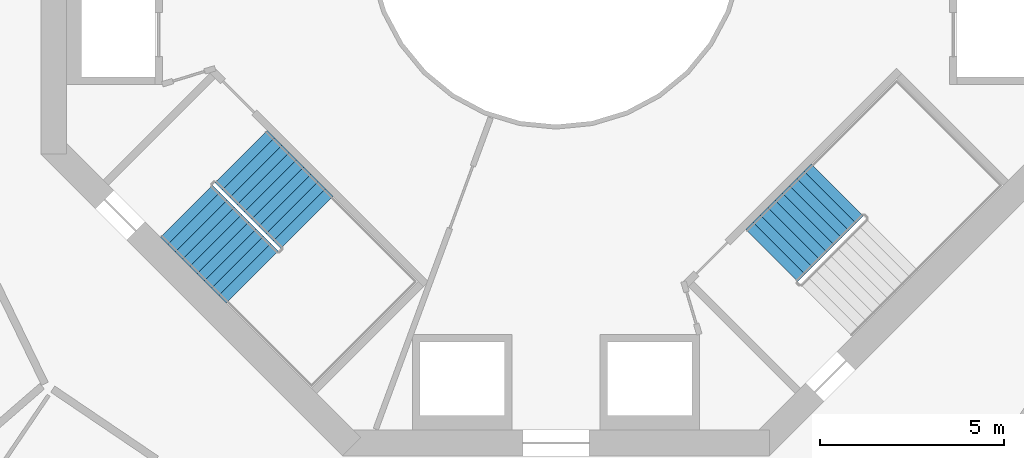
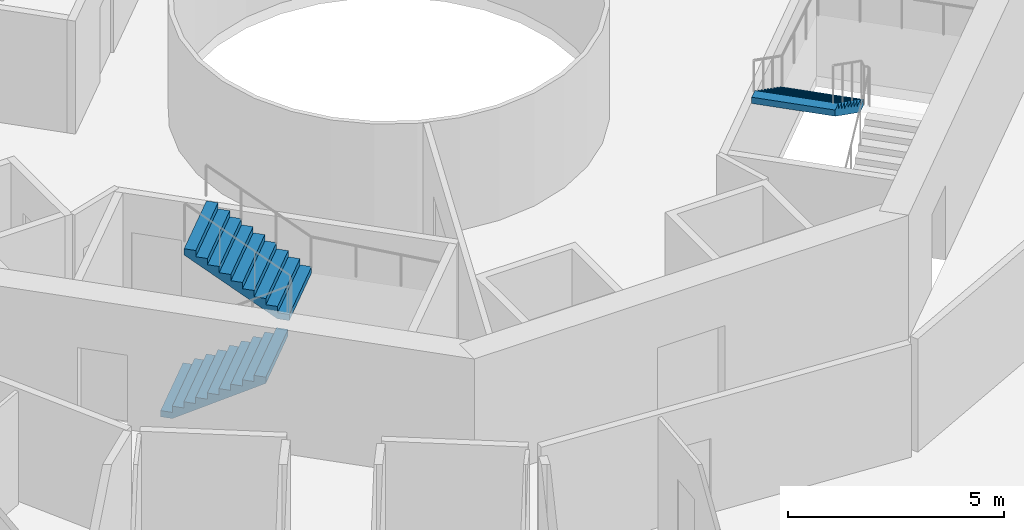
# One storey, part 20 of 22: 3 stair flights, 2 elements without a shape of their own.
"""IFC4 building model written with IfcOpenShell, lengths in metres."""

from ifc_helpers import new_model, si_unit, direction, frame, origin, place, context, subcontext, project, spatial, triangles, material, type_object, element, aggregate, save


model = new_model("IFC4")

# Units and contexts
model_context = context("Model", 3, precision=1e-05, world=origin(), true_north=direction((0.0, 1.0)))
body_context = subcontext(model_context, "Body", "Model", "MODEL_VIEW")
ifc_project = project(units=[si_unit("LENGTHUNIT", "METRE"), si_unit("AREAUNIT", "SQUARE_METRE"), si_unit("VOLUMEUNIT", "CUBIC_METRE"), si_unit("PLANEANGLEUNIT", "RADIAN"), si_unit("MASSUNIT", "GRAM", prefix="KILO")], contexts=[model_context])

# Site, building, storey
site_placement = place(None, origin())
site = spatial("IfcSite", under=ifc_project, at=site_placement, CompositionType="ELEMENT")
building_placement = place(site_placement, origin())
building = spatial("IfcBuilding", under=site, at=building_placement, Name="Verdalira Terraces Hotel", CompositionType="ELEMENT")
storey_placement = place(building_placement, frame((0.0, 0.0, 140.0)))
storey = spatial("IfcBuildingStorey", under=building, at=storey_placement, Name="L33", CompositionType="ELEMENT", Elevation=140.0)

# Stair, stair flights
ifc_material_1 = material(Name="Concrete C40", Category="concrete")
stair_type = type_object("IfcStairType", Name="Core stair 20 risers 2000 mm wide", PredefinedType="HALF_TURN_STAIR", material=ifc_material_1)
stair_1_placement = place(storey_placement, origin())
stair_1 = element("IfcStair", 1, at=stair_1_placement, inside=storey, type_object=stair_type, Name="L33 Exit stair ST2", PredefinedType="HALF_TURN_STAIR")
ifc_material_2 = material(Name="Concrete C40", Category="concrete")
stair_flight_type = type_object("IfcStairFlightType", Name="Core stair flight 20 risers 2000 mm wide", PredefinedType="STRAIGHT", material=ifc_material_2)
stair_flight_1_placement = place(storey_placement, frame((-10.041016, -7.354004, 0.0), z_axis=(0.0, 0.0, 1.0), x_axis=(0.707106781, -0.707106781, 0.0)))
stair_flight_1 = element("IfcStairFlight", 2, at=stair_flight_1_placement, type_object=stair_flight_type, Name="ST2 flight 1", NumberOfRisers=10, NumberOfTreads=9, PredefinedType="STRAIGHT", RiserHeight=0.175, TreadLength=0.28, context=body_context, shape_type="Tessellation", body=[
    triangles([(0.0, 1.0, 0.0), (0.282715, 1.0, 0.0), (2.52002, 1.0, 1.398193), (0.0, -1.0, 0.0), (0.282715, -1.0, 0.0), (2.52002, -1.0, 1.398193), (2.52002, 1.0, 1.574951), (2.23999, 1.0, 1.574951), (2.52002, -1.0, 1.574951), (2.23999, -1.0, 1.574951), (2.23999, 1.0, 1.399902), (2.23999, -1.0, 1.399902), (1.959961, 1.0, 1.399902), (1.959961, -1.0, 1.399902), (1.959961, 1.0, 1.225098), (1.959961, -1.0, 1.225098), (1.679932, 1.0, 1.225098), (1.679932, 1.0, 1.050049), (1.679932, -1.0, 1.225098), (1.679932, -1.0, 1.050049), (1.399902, 1.0, 1.050049), (1.399902, 1.0, 0.875), (1.399902, -1.0, 1.050049), (1.399902, -1.0, 0.875), (1.120117, 1.0, 0.875), (1.120117, 1.0, 0.699951), (1.120117, -1.0, 0.875), (1.120117, -1.0, 0.699951), (0.840088, 1.0, 0.699951), (0.840088, 1.0, 0.524902), (0.840088, -1.0, 0.699951), (0.840088, -1.0, 0.524902), (0.560059, 1.0, 0.524902), (0.560059, 1.0, 0.350098), (0.560059, -1.0, 0.524902), (0.560059, -1.0, 0.350098), (0.280029, 1.0, 0.350098), (0.280029, 1.0, 0.175049), (0.280029, -1.0, 0.350098), (0.280029, -1.0, 0.175049), (0.0, 1.0, 0.175049), (0.0, -1.0, 0.175049), (0.0, -0.9375, 0.0), (0.0, -0.9375, 0.175049), (0.0, -0.875, 0.0), (0.0, -0.875, 0.175049), (0.0, -0.8125, 0.0), (0.0, -0.8125, 0.175049), (0.0, -0.75, 0.0), (0.0, -0.75, 0.175049), (0.0, -0.6875, 0.0), (0.0, -0.6875, 0.175049), (0.0, -0.625, 0.0), (0.0, -0.625, 0.175049), (0.0, -0.5625, 0.0), (0.0, -0.5625, 0.175049), (0.0, -0.5, 0.0), (0.0, -0.5, 0.175049), (0.0, -0.4375, 0.0), (0.0, -0.4375, 0.175049), (0.0, -0.375, 0.0), (0.0, -0.375, 0.175049), (0.0, -0.3125, 0.0), (0.0, -0.3125, 0.175049), (0.0, -0.25, 0.0), (0.0, -0.25, 0.175049), (0.0, -0.1875, 0.0), (0.0, -0.1875, 0.175049), (0.0, -0.125, 0.0), (0.0, -0.125, 0.175049), (0.0, -0.0625, 0.0), (0.0, -0.0625, 0.175049), (0.0, 0.0, 0.0), (0.0, 0.0, 0.175049), (0.0, 0.0625, 0.0), (0.0, 0.0625, 0.175049), (0.0, 0.125, 0.0), (0.0, 0.125, 0.175049), (0.0, 0.1875, 0.0), (0.0, 0.1875, 0.175049), (0.0, 0.25, 0.0), (0.0, 0.25, 0.175049), (0.0, 0.3125, 0.0), (0.0, 0.3125, 0.175049), (0.0, 0.375, 0.0), (0.0, 0.375, 0.175049), (0.0, 0.4375, 0.0), (0.0, 0.4375, 0.175049), (0.0, 0.5, 0.0), (0.0, 0.5, 0.175049), (0.0, 0.5625, 0.0), (0.0, 0.5625, 0.175049), (0.0, 0.625, 0.0), (0.0, 0.625, 0.175049), (0.0, 0.6875, 0.0), (0.0, 0.6875, 0.175049), (0.0, 0.75, 0.0), (0.0, 0.75, 0.175049), (0.0, 0.8125, 0.0), (0.0, 0.8125, 0.175049), (0.0, 0.875, 0.0), (0.0, 0.875, 0.175049), (0.0, 0.9375, 0.0), (0.0, 0.9375, 0.175049), (2.52002, -0.9375, 1.574951), (2.52002, -0.875, 1.574951), (2.52002, -0.8125, 1.574951), (2.52002, -0.75, 1.574951), (2.52002, -0.6875, 1.574951), (2.52002, -0.625, 1.574951), (2.52002, -0.5625, 1.574951), (2.52002, -0.5, 1.574951), (2.52002, -0.4375, 1.574951), (2.52002, -0.375, 1.574951), (2.52002, -0.3125, 1.574951), (2.52002, -0.25, 1.574951), (2.52002, -0.1875, 1.574951), (2.52002, -0.125, 1.574951), (2.52002, -0.0625, 1.574951), (2.52002, 0.0, 1.574951), (2.52002, 0.0625, 1.574951), (2.52002, 0.125, 1.574951), (2.52002, 0.1875, 1.574951), (2.52002, 0.25, 1.574951), (2.52002, 0.3125, 1.574951), (2.52002, 0.375, 1.574951), (2.52002, 0.4375, 1.574951), (2.52002, 0.5, 1.574951), (2.52002, 0.5625, 1.574951), (2.52002, 0.625, 1.574951), (2.52002, 0.6875, 1.574951), (2.52002, 0.75, 1.574951), (2.52002, 0.8125, 1.574951), (2.52002, 0.875, 1.574951), (2.52002, 0.9375, 1.574951), (2.52002, -0.9375, 1.398193), (2.52002, -0.875, 1.398193), (2.52002, -0.8125, 1.398193), (2.52002, -0.75, 1.398193), (2.52002, -0.6875, 1.398193), (2.52002, -0.625, 1.398193), (2.52002, -0.5625, 1.398193), (2.52002, -0.5, 1.398193), (2.52002, -0.4375, 1.398193), (2.52002, -0.375, 1.398193), (2.52002, -0.3125, 1.398193), (2.52002, -0.25, 1.398193), (2.52002, -0.1875, 1.398193), (2.52002, -0.125, 1.398193), (2.52002, -0.0625, 1.398193), (2.52002, 0.0, 1.398193), (2.52002, 0.0625, 1.398193), (2.52002, 0.125, 1.398193), (2.52002, 0.1875, 1.398193), (2.52002, 0.25, 1.398193), (2.52002, 0.3125, 1.398193), (2.52002, 0.375, 1.398193), (2.52002, 0.4375, 1.398193), (2.52002, 0.5, 1.398193), (2.52002, 0.5625, 1.398193), (2.52002, 0.625, 1.398193), (2.52002, 0.6875, 1.398193), (2.52002, 0.75, 1.398193), (2.52002, 0.8125, 1.398193), (2.52002, 0.875, 1.398193), (2.52002, 0.9375, 1.398193)], [[1, 3, 2], [4, 5, 6], [3, 8, 7], [6, 9, 10], [3, 11, 8], [6, 10, 12], [3, 13, 11], [6, 12, 14], [3, 15, 13], [6, 14, 16], [15, 18, 17], [16, 19, 20], [3, 18, 15], [6, 16, 20], [18, 22, 21], [20, 23, 24], [3, 22, 18], [6, 20, 24], [22, 26, 25], [24, 27, 28], [3, 26, 22], [6, 24, 28], [26, 30, 29], [28, 31, 32], [3, 30, 26], [6, 28, 32], [1, 30, 3], [4, 6, 32], [30, 34, 33], [32, 35, 36], [34, 38, 37], [36, 39, 40], [30, 38, 34], [32, 36, 40], [1, 38, 30], [4, 32, 40], [38, 1, 41], [40, 42, 4], [4, 44, 43], [4, 42, 44], [43, 46, 45], [43, 44, 46], [45, 48, 47], [45, 46, 48], [47, 50, 49], [47, 48, 50], [49, 52, 51], [49, 50, 52], [51, 54, 53], [51, 52, 54], [53, 56, 55], [53, 54, 56], [55, 58, 57], [55, 56, 58], [57, 60, 59], [57, 58, 60], [59, 62, 61], [59, 60, 62], [61, 64, 63], [61, 62, 64], [63, 66, 65], [63, 64, 66], [65, 68, 67], [65, 66, 68], [67, 70, 69], [67, 68, 70], [69, 72, 71], [69, 70, 72], [71, 74, 73], [71, 72, 74], [73, 76, 75], [73, 74, 76], [75, 78, 77], [75, 76, 78], [77, 80, 79], [77, 78, 80], [79, 82, 81], [79, 80, 82], [81, 84, 83], [81, 82, 84], [83, 86, 85], [83, 84, 86], [85, 88, 87], [85, 86, 88], [87, 90, 89], [87, 88, 90], [89, 92, 91], [89, 90, 92], [91, 94, 93], [91, 92, 94], [93, 96, 95], [93, 94, 96], [95, 98, 97], [95, 96, 98], [97, 100, 99], [97, 98, 100], [99, 102, 101], [99, 100, 102], [101, 104, 103], [101, 102, 104], [103, 41, 1], [103, 104, 41], [42, 40, 44], [44, 40, 46], [46, 40, 48], [48, 40, 50], [50, 40, 52], [52, 40, 54], [54, 40, 56], [56, 40, 58], [58, 40, 60], [60, 40, 62], [62, 40, 64], [64, 40, 66], [66, 40, 68], [68, 40, 70], [70, 40, 72], [72, 40, 74], [74, 40, 76], [76, 40, 78], [78, 40, 80], [80, 40, 82], [82, 40, 84], [84, 40, 86], [86, 40, 88], [88, 40, 90], [90, 40, 92], [92, 40, 94], [94, 40, 96], [96, 40, 98], [98, 40, 100], [100, 40, 102], [102, 40, 104], [104, 40, 41], [41, 40, 38], [40, 37, 38], [40, 39, 37], [39, 34, 37], [39, 36, 34], [36, 33, 34], [36, 35, 33], [35, 30, 33], [35, 32, 30], [32, 29, 30], [32, 31, 29], [31, 26, 29], [31, 28, 26], [28, 25, 26], [28, 27, 25], [27, 22, 25], [27, 24, 22], [24, 21, 22], [24, 23, 21], [23, 18, 21], [23, 20, 18], [20, 17, 18], [20, 19, 17], [19, 15, 17], [19, 16, 15], [16, 13, 15], [16, 14, 13], [14, 11, 13], [14, 12, 11], [12, 8, 11], [12, 10, 8], [9, 105, 10], [105, 106, 10], [106, 107, 10], [107, 108, 10], [108, 109, 10], [109, 110, 10], [110, 111, 10], [111, 112, 10], [112, 113, 10], [113, 114, 10], [114, 115, 10], [115, 116, 10], [116, 117, 10], [117, 118, 10], [118, 119, 10], [119, 120, 10], [120, 121, 10], [121, 122, 10], [122, 123, 10], [123, 124, 10], [124, 125, 10], [125, 126, 10], [126, 127, 10], [127, 128, 10], [128, 129, 10], [129, 130, 10], [130, 131, 10], [131, 132, 10], [132, 133, 10], [133, 134, 10], [134, 135, 10], [135, 7, 10], [7, 8, 10], [9, 136, 105], [9, 6, 136], [105, 137, 106], [105, 136, 137], [106, 138, 107], [106, 137, 138], [107, 139, 108], [107, 138, 139], [108, 140, 109], [108, 139, 140], [109, 141, 110], [109, 140, 141], [110, 142, 111], [110, 141, 142], [111, 143, 112], [111, 142, 143], [112, 144, 113], [112, 143, 144], [113, 145, 114], [113, 144, 145], [114, 146, 115], [114, 145, 146], [115, 147, 116], [115, 146, 147], [116, 148, 117], [116, 147, 148], [117, 149, 118], [117, 148, 149], [118, 150, 119], [118, 149, 150], [119, 151, 120], [119, 150, 151], [120, 152, 121], [120, 151, 152], [121, 153, 122], [121, 152, 153], [122, 154, 123], [122, 153, 154], [123, 155, 124], [123, 154, 155], [124, 156, 125], [124, 155, 156], [125, 157, 126], [125, 156, 157], [126, 158, 127], [126, 157, 158], [127, 159, 128], [127, 158, 159], [128, 160, 129], [128, 159, 160], [129, 161, 130], [129, 160, 161], [130, 162, 131], [130, 161, 162], [131, 163, 132], [131, 162, 163], [132, 164, 133], [132, 163, 164], [133, 165, 134], [133, 164, 165], [134, 166, 135], [134, 165, 166], [135, 3, 7], [135, 166, 3], [6, 5, 136], [136, 5, 137], [137, 5, 138], [138, 5, 139], [139, 5, 140], [140, 5, 141], [141, 5, 142], [142, 5, 143], [143, 5, 144], [144, 5, 145], [145, 5, 146], [146, 5, 147], [147, 5, 148], [148, 5, 149], [149, 5, 150], [150, 5, 151], [151, 5, 152], [152, 5, 153], [153, 5, 154], [154, 5, 155], [155, 5, 156], [156, 5, 157], [157, 5, 158], [158, 5, 159], [159, 5, 160], [160, 5, 161], [161, 5, 162], [162, 5, 163], [163, 5, 164], [164, 5, 165], [165, 5, 166], [166, 5, 3], [3, 5, 2], [4, 43, 5], [43, 45, 5], [45, 47, 5], [47, 49, 5], [49, 51, 5], [51, 53, 5], [53, 55, 5], [55, 57, 5], [57, 59, 5], [59, 61, 5], [61, 63, 5], [63, 65, 5], [65, 67, 5], [67, 69, 5], [69, 71, 5], [71, 73, 5], [73, 75, 5], [75, 77, 5], [77, 79, 5], [79, 81, 5], [81, 83, 5], [83, 85, 5], [85, 87, 5], [87, 89, 5], [89, 91, 5], [91, 93, 5], [93, 95, 5], [95, 97, 5], [97, 99, 5], [99, 101, 5], [101, 103, 5], [103, 1, 5], [1, 2, 5]], closed=True),
])
stair_flight_2_placement = place(storey_placement, frame((-6.77417, -7.650879, 1.75), z_axis=(0.0, 0.0, 1.0), x_axis=(-0.707106781, 0.707106781, 0.0)))
stair_flight_2 = element("IfcStairFlight", 3, at=stair_flight_2_placement, type_object=stair_flight_type, Name="ST2 flight 2", NumberOfRisers=10, NumberOfTreads=9, PredefinedType="STRAIGHT", RiserHeight=0.175, TreadLength=0.28, context=body_context, shape_type="Tessellation", body=[
    triangles([(0.0, 1.0, 0.0), (0.282715, 1.0, 0.0), (2.52002, 1.0, 1.398193), (0.0, -1.0, 0.0), (0.282715, -1.0, 0.0), (2.52002, -1.0, 1.398193), (2.52002, 1.0, 1.574951), (2.23999, 1.0, 1.574951), (2.52002, -1.0, 1.574951), (2.23999, -1.0, 1.574951), (2.23999, 1.0, 1.399902), (2.23999, -1.0, 1.399902), (1.959961, 1.0, 1.399902), (1.959961, -1.0, 1.399902), (1.959961, 1.0, 1.225098), (1.959961, -1.0, 1.225098), (1.679932, 1.0, 1.225098), (1.679932, 1.0, 1.050049), (1.679932, -1.0, 1.225098), (1.679932, -1.0, 1.050049), (1.399902, 1.0, 1.050049), (1.399902, 1.0, 0.875), (1.399902, -1.0, 1.050049), (1.399902, -1.0, 0.875), (1.120117, 1.0, 0.875), (1.120117, 1.0, 0.699951), (1.120117, -1.0, 0.875), (1.120117, -1.0, 0.699951), (0.840088, 1.0, 0.699951), (0.840088, 1.0, 0.524902), (0.840088, -1.0, 0.699951), (0.840088, -1.0, 0.524902), (0.560059, 1.0, 0.524902), (0.560059, 1.0, 0.350098), (0.560059, -1.0, 0.524902), (0.560059, -1.0, 0.350098), (0.280029, 1.0, 0.350098), (0.280029, 1.0, 0.175049), (0.280029, -1.0, 0.350098), (0.280029, -1.0, 0.175049), (0.0, 1.0, 0.175049), (0.0, -1.0, 0.175049), (0.0, -0.9375, 0.0), (0.0, -0.9375, 0.175049), (0.0, -0.875, 0.0), (0.0, -0.875, 0.175049), (0.0, -0.8125, 0.0), (0.0, -0.8125, 0.175049), (0.0, -0.75, 0.0), (0.0, -0.75, 0.175049), (0.0, -0.6875, 0.0), (0.0, -0.6875, 0.175049), (0.0, -0.625, 0.0), (0.0, -0.625, 0.175049), (0.0, -0.5625, 0.0), (0.0, -0.5625, 0.175049), (0.0, -0.5, 0.0), (0.0, -0.5, 0.175049), (0.0, -0.4375, 0.0), (0.0, -0.4375, 0.175049), (0.0, -0.375, 0.0), (0.0, -0.375, 0.175049), (0.0, -0.3125, 0.0), (0.0, -0.3125, 0.175049), (0.0, -0.25, 0.0), (0.0, -0.25, 0.175049), (0.0, -0.1875, 0.0), (0.0, -0.1875, 0.175049), (0.0, -0.125, 0.0), (0.0, -0.125, 0.175049), (0.0, -0.0625, 0.0), (0.0, -0.0625, 0.175049), (0.0, 0.0, 0.0), (0.0, 0.0, 0.175049), (0.0, 0.0625, 0.0), (0.0, 0.0625, 0.175049), (0.0, 0.125, 0.0), (0.0, 0.125, 0.175049), (0.0, 0.1875, 0.0), (0.0, 0.1875, 0.175049), (0.0, 0.25, 0.0), (0.0, 0.25, 0.175049), (0.0, 0.3125, 0.0), (0.0, 0.3125, 0.175049), (0.0, 0.375, 0.0), (0.0, 0.375, 0.175049), (0.0, 0.4375, 0.0), (0.0, 0.4375, 0.175049), (0.0, 0.5, 0.0), (0.0, 0.5, 0.175049), (0.0, 0.5625, 0.0), (0.0, 0.5625, 0.175049), (0.0, 0.625, 0.0), (0.0, 0.625, 0.175049), (0.0, 0.6875, 0.0), (0.0, 0.6875, 0.175049), (0.0, 0.75, 0.0), (0.0, 0.75, 0.175049), (0.0, 0.8125, 0.0), (0.0, 0.8125, 0.175049), (0.0, 0.875, 0.0), (0.0, 0.875, 0.175049), (0.0, 0.9375, 0.0), (0.0, 0.9375, 0.175049), (2.52002, -0.9375, 1.574951), (2.52002, -0.875, 1.574951), (2.52002, -0.8125, 1.574951), (2.52002, -0.75, 1.574951), (2.52002, -0.6875, 1.574951), (2.52002, -0.625, 1.574951), (2.52002, -0.5625, 1.574951), (2.52002, -0.5, 1.574951), (2.52002, -0.4375, 1.574951), (2.52002, -0.375, 1.574951), (2.52002, -0.3125, 1.574951), (2.52002, -0.25, 1.574951), (2.52002, -0.1875, 1.574951), (2.52002, -0.125, 1.574951), (2.52002, -0.0625, 1.574951), (2.52002, 0.0, 1.574951), (2.52002, 0.0625, 1.574951), (2.52002, 0.125, 1.574951), (2.52002, 0.1875, 1.574951), (2.52002, 0.25, 1.574951), (2.52002, 0.3125, 1.574951), (2.52002, 0.375, 1.574951), (2.52002, 0.4375, 1.574951), (2.52002, 0.5, 1.574951), (2.52002, 0.5625, 1.574951), (2.52002, 0.625, 1.574951), (2.52002, 0.6875, 1.574951), (2.52002, 0.75, 1.574951), (2.52002, 0.8125, 1.574951), (2.52002, 0.875, 1.574951), (2.52002, 0.9375, 1.574951), (2.52002, -0.9375, 1.398193), (2.52002, -0.875, 1.398193), (2.52002, -0.8125, 1.398193), (2.52002, -0.75, 1.398193), (2.52002, -0.6875, 1.398193), (2.52002, -0.625, 1.398193), (2.52002, -0.5625, 1.398193), (2.52002, -0.5, 1.398193), (2.52002, -0.4375, 1.398193), (2.52002, -0.375, 1.398193), (2.52002, -0.3125, 1.398193), (2.52002, -0.25, 1.398193), (2.52002, -0.1875, 1.398193), (2.52002, -0.125, 1.398193), (2.52002, -0.0625, 1.398193), (2.52002, 0.0, 1.398193), (2.52002, 0.0625, 1.398193), (2.52002, 0.125, 1.398193), (2.52002, 0.1875, 1.398193), (2.52002, 0.25, 1.398193), (2.52002, 0.3125, 1.398193), (2.52002, 0.375, 1.398193), (2.52002, 0.4375, 1.398193), (2.52002, 0.5, 1.398193), (2.52002, 0.5625, 1.398193), (2.52002, 0.625, 1.398193), (2.52002, 0.6875, 1.398193), (2.52002, 0.75, 1.398193), (2.52002, 0.8125, 1.398193), (2.52002, 0.875, 1.398193), (2.52002, 0.9375, 1.398193)], [[1, 3, 2], [4, 5, 6], [3, 8, 7], [6, 9, 10], [3, 11, 8], [6, 10, 12], [3, 13, 11], [6, 12, 14], [3, 15, 13], [6, 14, 16], [15, 18, 17], [16, 19, 20], [3, 18, 15], [6, 16, 20], [18, 22, 21], [20, 23, 24], [3, 22, 18], [6, 20, 24], [22, 26, 25], [24, 27, 28], [3, 26, 22], [6, 24, 28], [26, 30, 29], [28, 31, 32], [3, 30, 26], [6, 28, 32], [1, 30, 3], [4, 6, 32], [30, 34, 33], [32, 35, 36], [34, 38, 37], [36, 39, 40], [30, 38, 34], [32, 36, 40], [1, 38, 30], [4, 32, 40], [38, 1, 41], [40, 42, 4], [4, 44, 43], [4, 42, 44], [43, 46, 45], [43, 44, 46], [45, 48, 47], [45, 46, 48], [47, 50, 49], [47, 48, 50], [49, 52, 51], [49, 50, 52], [51, 54, 53], [51, 52, 54], [53, 56, 55], [53, 54, 56], [55, 58, 57], [55, 56, 58], [57, 60, 59], [57, 58, 60], [59, 62, 61], [59, 60, 62], [61, 64, 63], [61, 62, 64], [63, 66, 65], [63, 64, 66], [65, 68, 67], [65, 66, 68], [67, 70, 69], [67, 68, 70], [69, 72, 71], [69, 70, 72], [71, 74, 73], [71, 72, 74], [73, 76, 75], [73, 74, 76], [75, 78, 77], [75, 76, 78], [77, 80, 79], [77, 78, 80], [79, 82, 81], [79, 80, 82], [81, 84, 83], [81, 82, 84], [83, 86, 85], [83, 84, 86], [85, 88, 87], [85, 86, 88], [87, 90, 89], [87, 88, 90], [89, 92, 91], [89, 90, 92], [91, 94, 93], [91, 92, 94], [93, 96, 95], [93, 94, 96], [95, 98, 97], [95, 96, 98], [97, 100, 99], [97, 98, 100], [99, 102, 101], [99, 100, 102], [101, 104, 103], [101, 102, 104], [103, 41, 1], [103, 104, 41], [42, 40, 44], [44, 40, 46], [46, 40, 48], [48, 40, 50], [50, 40, 52], [52, 40, 54], [54, 40, 56], [56, 40, 58], [58, 40, 60], [60, 40, 62], [62, 40, 64], [64, 40, 66], [66, 40, 68], [68, 40, 70], [70, 40, 72], [72, 40, 74], [74, 40, 76], [76, 40, 78], [78, 40, 80], [80, 40, 82], [82, 40, 84], [84, 40, 86], [86, 40, 88], [88, 40, 90], [90, 40, 92], [92, 40, 94], [94, 40, 96], [96, 40, 98], [98, 40, 100], [100, 40, 102], [102, 40, 104], [104, 40, 41], [41, 40, 38], [40, 37, 38], [40, 39, 37], [39, 34, 37], [39, 36, 34], [36, 33, 34], [36, 35, 33], [35, 30, 33], [35, 32, 30], [32, 29, 30], [32, 31, 29], [31, 26, 29], [31, 28, 26], [28, 25, 26], [28, 27, 25], [27, 22, 25], [27, 24, 22], [24, 21, 22], [24, 23, 21], [23, 18, 21], [23, 20, 18], [20, 17, 18], [20, 19, 17], [19, 15, 17], [19, 16, 15], [16, 13, 15], [16, 14, 13], [14, 11, 13], [14, 12, 11], [12, 8, 11], [12, 10, 8], [9, 105, 10], [105, 106, 10], [106, 107, 10], [107, 108, 10], [108, 109, 10], [109, 110, 10], [110, 111, 10], [111, 112, 10], [112, 113, 10], [113, 114, 10], [114, 115, 10], [115, 116, 10], [116, 117, 10], [117, 118, 10], [118, 119, 10], [119, 120, 10], [120, 121, 10], [121, 122, 10], [122, 123, 10], [123, 124, 10], [124, 125, 10], [125, 126, 10], [126, 127, 10], [127, 128, 10], [128, 129, 10], [129, 130, 10], [130, 131, 10], [131, 132, 10], [132, 133, 10], [133, 134, 10], [134, 135, 10], [135, 7, 10], [7, 8, 10], [9, 136, 105], [9, 6, 136], [105, 137, 106], [105, 136, 137], [106, 138, 107], [106, 137, 138], [107, 139, 108], [107, 138, 139], [108, 140, 109], [108, 139, 140], [109, 141, 110], [109, 140, 141], [110, 142, 111], [110, 141, 142], [111, 143, 112], [111, 142, 143], [112, 144, 113], [112, 143, 144], [113, 145, 114], [113, 144, 145], [114, 146, 115], [114, 145, 146], [115, 147, 116], [115, 146, 147], [116, 148, 117], [116, 147, 148], [117, 149, 118], [117, 148, 149], [118, 150, 119], [118, 149, 150], [119, 151, 120], [119, 150, 151], [120, 152, 121], [120, 151, 152], [121, 153, 122], [121, 152, 153], [122, 154, 123], [122, 153, 154], [123, 155, 124], [123, 154, 155], [124, 156, 125], [124, 155, 156], [125, 157, 126], [125, 156, 157], [126, 158, 127], [126, 157, 158], [127, 159, 128], [127, 158, 159], [128, 160, 129], [128, 159, 160], [129, 161, 130], [129, 160, 161], [130, 162, 131], [130, 161, 162], [131, 163, 132], [131, 162, 163], [132, 164, 133], [132, 163, 164], [133, 165, 134], [133, 164, 165], [134, 166, 135], [134, 165, 166], [135, 3, 7], [135, 166, 3], [6, 5, 136], [136, 5, 137], [137, 5, 138], [138, 5, 139], [139, 5, 140], [140, 5, 141], [141, 5, 142], [142, 5, 143], [143, 5, 144], [144, 5, 145], [145, 5, 146], [146, 5, 147], [147, 5, 148], [148, 5, 149], [149, 5, 150], [150, 5, 151], [151, 5, 152], [152, 5, 153], [153, 5, 154], [154, 5, 155], [155, 5, 156], [156, 5, 157], [157, 5, 158], [158, 5, 159], [159, 5, 160], [160, 5, 161], [161, 5, 162], [162, 5, 163], [163, 5, 164], [164, 5, 165], [165, 5, 166], [166, 5, 3], [3, 5, 2], [4, 43, 5], [43, 45, 5], [45, 47, 5], [47, 49, 5], [49, 51, 5], [51, 53, 5], [53, 55, 5], [55, 57, 5], [57, 59, 5], [59, 61, 5], [61, 63, 5], [63, 65, 5], [65, 67, 5], [67, 69, 5], [69, 71, 5], [71, 73, 5], [73, 75, 5], [75, 77, 5], [77, 79, 5], [79, 81, 5], [81, 83, 5], [83, 85, 5], [85, 87, 5], [87, 89, 5], [89, 91, 5], [91, 93, 5], [93, 95, 5], [95, 97, 5], [97, 99, 5], [99, 101, 5], [101, 103, 5], [103, 1, 5], [1, 2, 5]], closed=True),
])
aggregate(stair_1, [stair_flight_1, stair_flight_2])

# Stair, stair flight
stair_2_placement = place(storey_placement, origin())
stair_2 = element("IfcStair", 4, at=stair_2_placement, inside=storey, type_object=stair_type, Name="L33 Exit stair ST3", PredefinedType="HALF_TURN_STAIR")
stair_flight_3_placement = place(storey_placement, frame((7.650879, -6.77417, 1.75), z_axis=(0.0, 0.0, 1.0), x_axis=(-0.707106781, -0.707106781, 0.0)))
stair_flight_3 = element("IfcStairFlight", 5, at=stair_flight_3_placement, type_object=stair_flight_type, Name="ST3 flight 2", NumberOfRisers=10, NumberOfTreads=9, PredefinedType="STRAIGHT", RiserHeight=0.175, TreadLength=0.28, context=body_context, shape_type="Tessellation", body=[
    triangles([(0.0, 1.0, 0.0), (0.282715, 1.0, 0.0), (2.52002, 1.0, 1.398193), (0.0, -1.0, 0.0), (0.282715, -1.0, 0.0), (2.52002, -1.0, 1.398193), (2.52002, 1.0, 1.574951), (2.23999, 1.0, 1.574951), (2.52002, -1.0, 1.574951), (2.23999, -1.0, 1.574951), (2.23999, 1.0, 1.399902), (2.23999, -1.0, 1.399902), (1.959961, 1.0, 1.399902), (1.959961, -1.0, 1.399902), (1.959961, 1.0, 1.225098), (1.959961, -1.0, 1.225098), (1.679932, 1.0, 1.225098), (1.679932, 1.0, 1.050049), (1.679932, -1.0, 1.225098), (1.679932, -1.0, 1.050049), (1.399902, 1.0, 1.050049), (1.399902, 1.0, 0.875), (1.399902, -1.0, 1.050049), (1.399902, -1.0, 0.875), (1.120117, 1.0, 0.875), (1.120117, 1.0, 0.699951), (1.120117, -1.0, 0.875), (1.120117, -1.0, 0.699951), (0.840088, 1.0, 0.699951), (0.840088, 1.0, 0.524902), (0.840088, -1.0, 0.699951), (0.840088, -1.0, 0.524902), (0.560059, 1.0, 0.524902), (0.560059, 1.0, 0.350098), (0.560059, -1.0, 0.524902), (0.560059, -1.0, 0.350098), (0.280029, 1.0, 0.350098), (0.280029, 1.0, 0.175049), (0.280029, -1.0, 0.350098), (0.280029, -1.0, 0.175049), (0.0, 1.0, 0.175049), (0.0, -1.0, 0.175049), (0.0, -0.9375, 0.0), (0.0, -0.9375, 0.175049), (0.0, -0.875, 0.0), (0.0, -0.875, 0.175049), (0.0, -0.8125, 0.0), (0.0, -0.8125, 0.175049), (0.0, -0.75, 0.0), (0.0, -0.75, 0.175049), (0.0, -0.6875, 0.0), (0.0, -0.6875, 0.175049), (0.0, -0.625, 0.0), (0.0, -0.625, 0.175049), (0.0, -0.5625, 0.0), (0.0, -0.5625, 0.175049), (0.0, -0.5, 0.0), (0.0, -0.5, 0.175049), (0.0, -0.4375, 0.0), (0.0, -0.4375, 0.175049), (0.0, -0.375, 0.0), (0.0, -0.375, 0.175049), (0.0, -0.3125, 0.0), (0.0, -0.3125, 0.175049), (0.0, -0.25, 0.0), (0.0, -0.25, 0.175049), (0.0, -0.1875, 0.0), (0.0, -0.1875, 0.175049), (0.0, -0.125, 0.0), (0.0, -0.125, 0.175049), (0.0, -0.0625, 0.0), (0.0, -0.0625, 0.175049), (0.0, 0.0, 0.0), (0.0, 0.0, 0.175049), (0.0, 0.0625, 0.0), (0.0, 0.0625, 0.175049), (0.0, 0.125, 0.0), (0.0, 0.125, 0.175049), (0.0, 0.1875, 0.0), (0.0, 0.1875, 0.175049), (0.0, 0.25, 0.0), (0.0, 0.25, 0.175049), (0.0, 0.3125, 0.0), (0.0, 0.3125, 0.175049), (0.0, 0.375, 0.0), (0.0, 0.375, 0.175049), (0.0, 0.4375, 0.0), (0.0, 0.4375, 0.175049), (0.0, 0.5, 0.0), (0.0, 0.5, 0.175049), (0.0, 0.5625, 0.0), (0.0, 0.5625, 0.175049), (0.0, 0.625, 0.0), (0.0, 0.625, 0.175049), (0.0, 0.6875, 0.0), (0.0, 0.6875, 0.175049), (0.0, 0.75, 0.0), (0.0, 0.75, 0.175049), (0.0, 0.8125, 0.0), (0.0, 0.8125, 0.175049), (0.0, 0.875, 0.0), (0.0, 0.875, 0.175049), (0.0, 0.9375, 0.0), (0.0, 0.9375, 0.175049), (2.52002, -0.9375, 1.574951), (2.52002, -0.875, 1.574951), (2.52002, -0.8125, 1.574951), (2.52002, -0.75, 1.574951), (2.52002, -0.6875, 1.574951), (2.52002, -0.625, 1.574951), (2.52002, -0.5625, 1.574951), (2.52002, -0.5, 1.574951), (2.52002, -0.4375, 1.574951), (2.52002, -0.375, 1.574951), (2.52002, -0.3125, 1.574951), (2.52002, -0.25, 1.574951), (2.52002, -0.1875, 1.574951), (2.52002, -0.125, 1.574951), (2.52002, -0.0625, 1.574951), (2.52002, 0.0, 1.574951), (2.52002, 0.0625, 1.574951), (2.52002, 0.125, 1.574951), (2.52002, 0.1875, 1.574951), (2.52002, 0.25, 1.574951), (2.52002, 0.3125, 1.574951), (2.52002, 0.375, 1.574951), (2.52002, 0.4375, 1.574951), (2.52002, 0.5, 1.574951), (2.52002, 0.5625, 1.574951), (2.52002, 0.625, 1.574951), (2.52002, 0.6875, 1.574951), (2.52002, 0.75, 1.574951), (2.52002, 0.8125, 1.574951), (2.52002, 0.875, 1.574951), (2.52002, 0.9375, 1.574951), (2.52002, -0.9375, 1.398193), (2.52002, -0.875, 1.398193), (2.52002, -0.8125, 1.398193), (2.52002, -0.75, 1.398193), (2.52002, -0.6875, 1.398193), (2.52002, -0.625, 1.398193), (2.52002, -0.5625, 1.398193), (2.52002, -0.5, 1.398193), (2.52002, -0.4375, 1.398193), (2.52002, -0.375, 1.398193), (2.52002, -0.3125, 1.398193), (2.52002, -0.25, 1.398193), (2.52002, -0.1875, 1.398193), (2.52002, -0.125, 1.398193), (2.52002, -0.0625, 1.398193), (2.52002, 0.0, 1.398193), (2.52002, 0.0625, 1.398193), (2.52002, 0.125, 1.398193), (2.52002, 0.1875, 1.398193), (2.52002, 0.25, 1.398193), (2.52002, 0.3125, 1.398193), (2.52002, 0.375, 1.398193), (2.52002, 0.4375, 1.398193), (2.52002, 0.5, 1.398193), (2.52002, 0.5625, 1.398193), (2.52002, 0.625, 1.398193), (2.52002, 0.6875, 1.398193), (2.52002, 0.75, 1.398193), (2.52002, 0.8125, 1.398193), (2.52002, 0.875, 1.398193), (2.52002, 0.9375, 1.398193)], [[1, 3, 2], [4, 5, 6], [3, 8, 7], [6, 9, 10], [3, 11, 8], [6, 10, 12], [3, 13, 11], [6, 12, 14], [3, 15, 13], [6, 14, 16], [15, 18, 17], [16, 19, 20], [3, 18, 15], [6, 16, 20], [18, 22, 21], [20, 23, 24], [3, 22, 18], [6, 20, 24], [22, 26, 25], [24, 27, 28], [3, 26, 22], [6, 24, 28], [26, 30, 29], [28, 31, 32], [3, 30, 26], [6, 28, 32], [1, 30, 3], [4, 6, 32], [30, 34, 33], [32, 35, 36], [34, 38, 37], [36, 39, 40], [30, 38, 34], [32, 36, 40], [1, 38, 30], [4, 32, 40], [38, 1, 41], [40, 42, 4], [4, 44, 43], [4, 42, 44], [43, 46, 45], [43, 44, 46], [45, 48, 47], [45, 46, 48], [47, 50, 49], [47, 48, 50], [49, 52, 51], [49, 50, 52], [51, 54, 53], [51, 52, 54], [53, 56, 55], [53, 54, 56], [55, 58, 57], [55, 56, 58], [57, 60, 59], [57, 58, 60], [59, 62, 61], [59, 60, 62], [61, 64, 63], [61, 62, 64], [63, 66, 65], [63, 64, 66], [65, 68, 67], [65, 66, 68], [67, 70, 69], [67, 68, 70], [69, 72, 71], [69, 70, 72], [71, 74, 73], [71, 72, 74], [73, 76, 75], [73, 74, 76], [75, 78, 77], [75, 76, 78], [77, 80, 79], [77, 78, 80], [79, 82, 81], [79, 80, 82], [81, 84, 83], [81, 82, 84], [83, 86, 85], [83, 84, 86], [85, 88, 87], [85, 86, 88], [87, 90, 89], [87, 88, 90], [89, 92, 91], [89, 90, 92], [91, 94, 93], [91, 92, 94], [93, 96, 95], [93, 94, 96], [95, 98, 97], [95, 96, 98], [97, 100, 99], [97, 98, 100], [99, 102, 101], [99, 100, 102], [101, 104, 103], [101, 102, 104], [103, 41, 1], [103, 104, 41], [42, 40, 44], [44, 40, 46], [46, 40, 48], [48, 40, 50], [50, 40, 52], [52, 40, 54], [54, 40, 56], [56, 40, 58], [58, 40, 60], [60, 40, 62], [62, 40, 64], [64, 40, 66], [66, 40, 68], [68, 40, 70], [70, 40, 72], [72, 40, 74], [74, 40, 76], [76, 40, 78], [78, 40, 80], [80, 40, 82], [82, 40, 84], [84, 40, 86], [86, 40, 88], [88, 40, 90], [90, 40, 92], [92, 40, 94], [94, 40, 96], [96, 40, 98], [98, 40, 100], [100, 40, 102], [102, 40, 104], [104, 40, 41], [41, 40, 38], [40, 37, 38], [40, 39, 37], [39, 34, 37], [39, 36, 34], [36, 33, 34], [36, 35, 33], [35, 30, 33], [35, 32, 30], [32, 29, 30], [32, 31, 29], [31, 26, 29], [31, 28, 26], [28, 25, 26], [28, 27, 25], [27, 22, 25], [27, 24, 22], [24, 21, 22], [24, 23, 21], [23, 18, 21], [23, 20, 18], [20, 17, 18], [20, 19, 17], [19, 15, 17], [19, 16, 15], [16, 13, 15], [16, 14, 13], [14, 11, 13], [14, 12, 11], [12, 8, 11], [12, 10, 8], [9, 105, 10], [105, 106, 10], [106, 107, 10], [107, 108, 10], [108, 109, 10], [109, 110, 10], [110, 111, 10], [111, 112, 10], [112, 113, 10], [113, 114, 10], [114, 115, 10], [115, 116, 10], [116, 117, 10], [117, 118, 10], [118, 119, 10], [119, 120, 10], [120, 121, 10], [121, 122, 10], [122, 123, 10], [123, 124, 10], [124, 125, 10], [125, 126, 10], [126, 127, 10], [127, 128, 10], [128, 129, 10], [129, 130, 10], [130, 131, 10], [131, 132, 10], [132, 133, 10], [133, 134, 10], [134, 135, 10], [135, 7, 10], [7, 8, 10], [9, 136, 105], [9, 6, 136], [105, 137, 106], [105, 136, 137], [106, 138, 107], [106, 137, 138], [107, 139, 108], [107, 138, 139], [108, 140, 109], [108, 139, 140], [109, 141, 110], [109, 140, 141], [110, 142, 111], [110, 141, 142], [111, 143, 112], [111, 142, 143], [112, 144, 113], [112, 143, 144], [113, 145, 114], [113, 144, 145], [114, 146, 115], [114, 145, 146], [115, 147, 116], [115, 146, 147], [116, 148, 117], [116, 147, 148], [117, 149, 118], [117, 148, 149], [118, 150, 119], [118, 149, 150], [119, 151, 120], [119, 150, 151], [120, 152, 121], [120, 151, 152], [121, 153, 122], [121, 152, 153], [122, 154, 123], [122, 153, 154], [123, 155, 124], [123, 154, 155], [124, 156, 125], [124, 155, 156], [125, 157, 126], [125, 156, 157], [126, 158, 127], [126, 157, 158], [127, 159, 128], [127, 158, 159], [128, 160, 129], [128, 159, 160], [129, 161, 130], [129, 160, 161], [130, 162, 131], [130, 161, 162], [131, 163, 132], [131, 162, 163], [132, 164, 133], [132, 163, 164], [133, 165, 134], [133, 164, 165], [134, 166, 135], [134, 165, 166], [135, 3, 7], [135, 166, 3], [6, 5, 136], [136, 5, 137], [137, 5, 138], [138, 5, 139], [139, 5, 140], [140, 5, 141], [141, 5, 142], [142, 5, 143], [143, 5, 144], [144, 5, 145], [145, 5, 146], [146, 5, 147], [147, 5, 148], [148, 5, 149], [149, 5, 150], [150, 5, 151], [151, 5, 152], [152, 5, 153], [153, 5, 154], [154, 5, 155], [155, 5, 156], [156, 5, 157], [157, 5, 158], [158, 5, 159], [159, 5, 160], [160, 5, 161], [161, 5, 162], [162, 5, 163], [163, 5, 164], [164, 5, 165], [165, 5, 166], [166, 5, 3], [3, 5, 2], [4, 43, 5], [43, 45, 5], [45, 47, 5], [47, 49, 5], [49, 51, 5], [51, 53, 5], [53, 55, 5], [55, 57, 5], [57, 59, 5], [59, 61, 5], [61, 63, 5], [63, 65, 5], [65, 67, 5], [67, 69, 5], [69, 71, 5], [71, 73, 5], [73, 75, 5], [75, 77, 5], [77, 79, 5], [79, 81, 5], [81, 83, 5], [83, 85, 5], [85, 87, 5], [87, 89, 5], [89, 91, 5], [91, 93, 5], [93, 95, 5], [95, 97, 5], [97, 99, 5], [99, 101, 5], [101, 103, 5], [103, 1, 5], [1, 2, 5]], closed=True),
])
aggregate(stair_2, [stair_flight_3])

save(model, "model.ifc")
